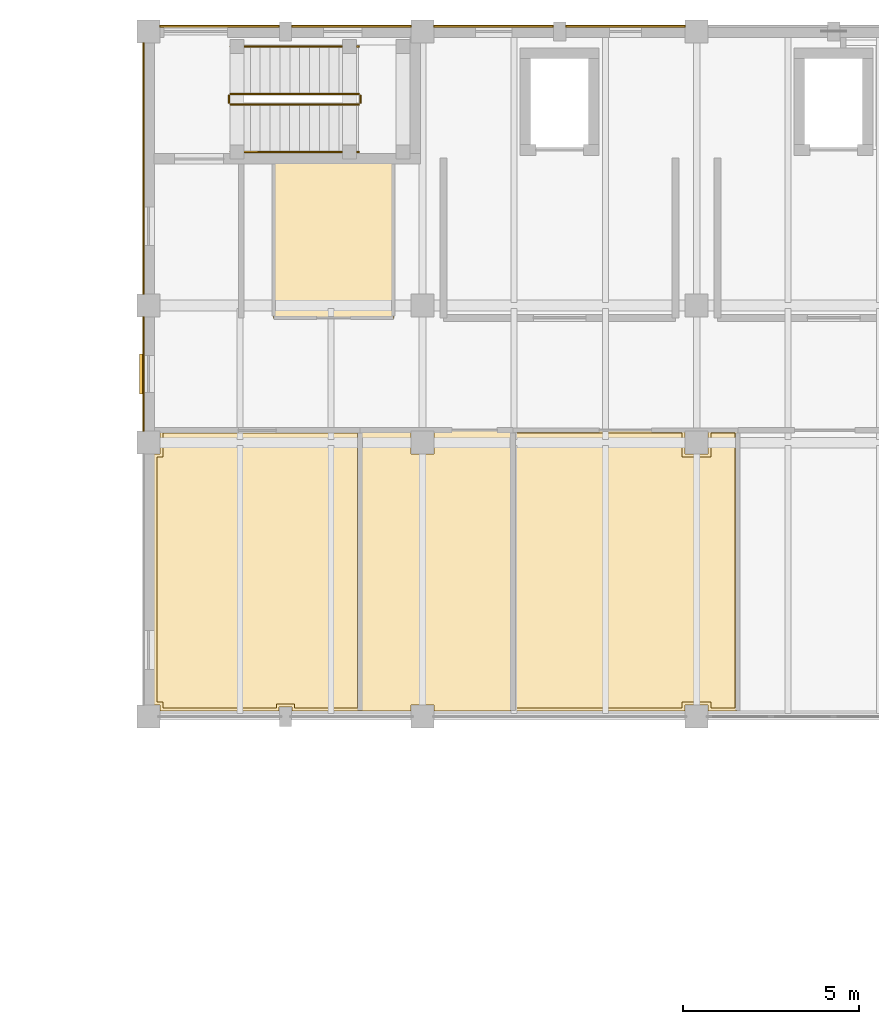
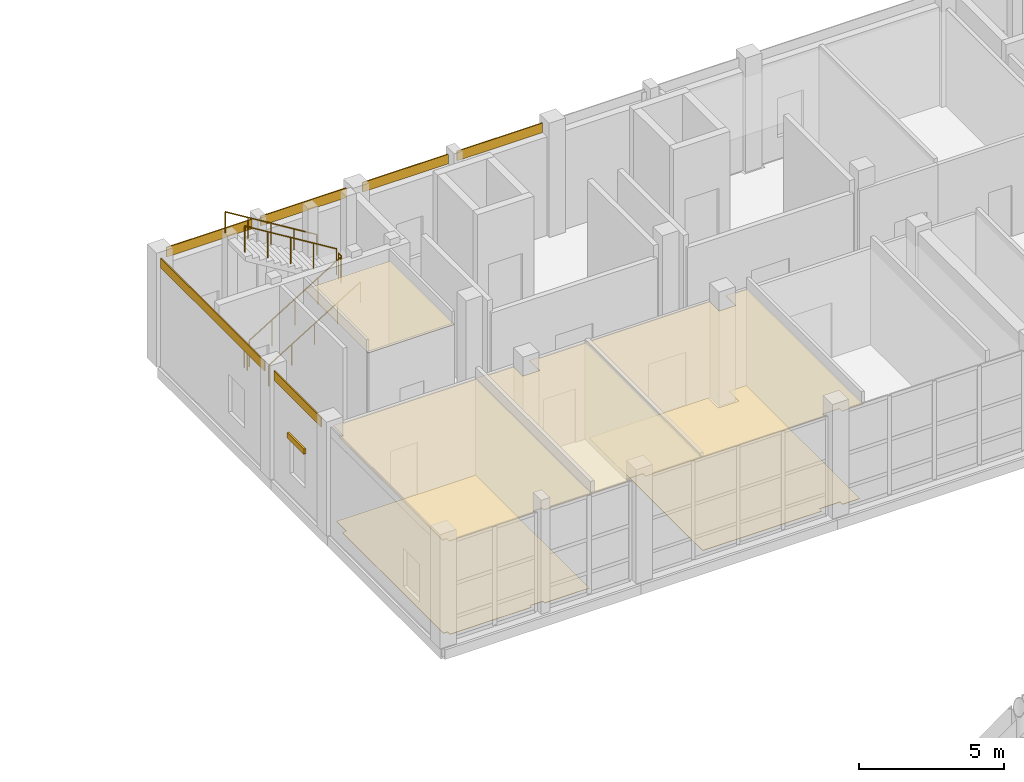
# One storey, part 120 of 131: 12 coverings, 6 railings, 1 shading device.
"""IFC4 building model written with IfcOpenShell, lengths in metres."""

from ifc_helpers import new_model, si_unit, direction, frame, origin, origin_2d, place, context, subcontext, project, spatial, polyline, rectangle, circle, outline, extrude, material, layer, layer_set, type_object, element, save


model = new_model("IFC4")

# Units and contexts
model_context = context("Model", 3, precision=1e-05, world=origin(), true_north=direction((0.0, 1.0)))
body_context = subcontext(model_context, "Body", "Model", "MODEL_VIEW")
ifc_project = project(units=[si_unit("LENGTHUNIT", "METRE"), si_unit("AREAUNIT", "SQUARE_METRE"), si_unit("VOLUMEUNIT", "CUBIC_METRE"), si_unit("PLANEANGLEUNIT", "RADIAN"), si_unit("MASSUNIT", "GRAM", prefix="KILO")], contexts=[model_context])

# Site, building, storey
site_placement = place(None, origin())
site = spatial("IfcSite", under=ifc_project, at=site_placement, CompositionType="ELEMENT")
building_placement = place(site_placement, origin())
building = spatial("IfcBuilding", under=site, at=building_placement, Name="Celorna Specialist Clinic", CompositionType="ELEMENT")
storey_placement = place(building_placement, origin())
storey = spatial("IfcBuildingStorey", under=building, at=storey_placement, Name="L00", CompositionType="ELEMENT", Elevation=0.0)

# Coverings
ifc_material_1 = material(Name="Hygienic acoustic mineral-fibre ceiling")
ifc_layer_1 = layer(ifc_material_1, 0.030029296875, Name="Hygienic acoustic mineral-fibre ceiling")
ifc_layer_set_1 = layer_set([ifc_layer_1], Name="Hygienic acoustic mineral-fibre ceiling")
covering_type_1 = type_object("IfcCoveringType", Name="CE-01", PredefinedType="CEILING", material=ifc_layer_set_1)
covering_1_placement = place(storey_placement, frame((0.0, 0.0, 3.989990234375)))
element("IfcCovering", 1, at=covering_1_placement, inside=storey, type_object=covering_type_1, Name="Acoustic ceiling L00-050", PredefinedType="CEILING", context=body_context, shape_type="SweptSolid", body=[
    extrude(outline(polyline([(52.8349609375, 104.6650390625), (52.8349609375, 96.655029296875), (50.8798828125, 96.655029296875), (50.8798828125, 96.780029296875), (50.52001953125, 96.780029296875), (50.52001953125, 96.655029296875), (47.1298828125, 96.655029296875), (47.1298828125, 96.830078125), (46.955078125, 96.830078125), (46.955078125, 103.969970703125), (47.1298828125, 103.969970703125), (47.1298828125, 104.6298828125), (47.1201171875, 104.6298828125), (47.1201171875, 104.6650390625), (52.8349609375, 104.6650390625)])), origin(), (0.0, 0.0, 1.0), 0.030029296875),
])
covering_2_placement = place(storey_placement, frame((0.0, 0.0, 3.989990234375)))
element("IfcCovering", 2, at=covering_2_placement, inside=storey, type_object=covering_type_1, Name="Acoustic ceiling L00-051", PredefinedType="CEILING", context=body_context, shape_type="SweptSolid", body=[
    extrude(outline(polyline([(54.280029296875, 104.6650390625), (54.280029296875, 104.6298828125), (54.27001953125, 104.6298828125), (54.27001953125, 103.969970703125), (54.929931640625, 103.969970703125), (54.929931640625, 104.6298828125), (54.919921875, 104.6298828125), (54.919921875, 104.6650390625), (57.18505859375, 104.6650390625), (57.18505859375, 96.655029296875), (54.929931640625, 96.655029296875), (54.929931640625, 96.830078125), (54.27001953125, 96.830078125), (54.27001953125, 96.655029296875), (52.804931640625, 96.655029296875), (52.804931640625, 104.6650390625), (54.280029296875, 104.6650390625)])), origin(), (0.0, 0.0, 1.0), 0.030029296875),
])
covering_3_placement = place(storey_placement, frame((0.0, 0.0, 3.989990234375)))
element("IfcCovering", 3, at=covering_3_placement, inside=storey, type_object=covering_type_1, Name="Acoustic ceiling L00-052", PredefinedType="CEILING", context=body_context, shape_type="SweptSolid", body=[
    extrude(outline(polyline([(62.080078125, 104.6650390625), (62.080078125, 104.6298828125), (62.070068359375, 104.6298828125), (62.070068359375, 103.969970703125), (62.72998046875, 103.969970703125), (62.72998046875, 104.6298828125), (62.719970703125, 104.6298828125), (62.719970703125, 104.6650390625), (63.5849609375, 104.6650390625), (63.5849609375, 96.655029296875), (62.72998046875, 96.655029296875), (62.72998046875, 96.830078125), (62.070068359375, 96.830078125), (62.070068359375, 96.655029296875), (57.155029296875, 96.655029296875), (57.155029296875, 104.6650390625), (62.080078125, 104.6650390625)])), origin(), (0.0, 0.0, 1.0), 0.030029296875),
])
covering_4_placement = place(storey_placement, frame((0.0, 0.0, 3.989990234375)))
element("IfcCovering", 4, at=covering_4_placement, inside=storey, type_object=covering_type_1, Name="Acoustic ceiling L00-071", PredefinedType="CEILING", context=body_context, shape_type="SweptSolid", body=[
    extrude(outline(polyline([(50.35498046875, 112.235107421875), (53.784912109375, 112.235107421875), (53.784912109375, 107.8349609375), (50.35498046875, 107.8349609375), (50.35498046875, 112.235107421875)])), origin(), (0.0, 0.0, 1.0), 0.030029296875),
])
ifc_material_2 = material(Name="Pero Pinheiro Lioz limestone rainscreen cladding", Category="masonry")
ifc_layer_2 = layer(ifc_material_2, 0.044921875, Name="Pero Pinheiro Lioz limestone rainscreen cladding")
ifc_layer_set_2 = layer_set([ifc_layer_2], Name="Pero Pinheiro Lioz limestone rainscreen cladding")
covering_type_2 = type_object("IfcCoveringType", Name="CL-01", PredefinedType="CLADDING", material=ifc_layer_set_2)
for number, where, z_axis, x_axis, name in (
    (5, (48.824951171875, 116.1474609375, 4.14013671875), (0.0, 0.0, 1.0), (1.0, 0.0, 0.0), "Lioz spandrel cladding #159"),
    (6, (52.574951171875, 116.1474609375, 4.14013671875), (0.0, 0.0, 1.0), (1.0, 0.0, 0.0), "Lioz spandrel cladding #160"),
    (7, (56.625, 116.1474609375, 4.14013671875), (0.0, 0.0, 1.0), (1.0, 0.0, 0.0), "Lioz spandrel cladding #161"),
    (8, (60.375, 116.1474609375, 4.14013671875), (0.0, 0.0, 1.0), (1.0, 0.0, 0.0), "Lioz spandrel cladding #162"),
):
    element("IfcCovering", number, at=place(storey_placement, frame(where, z_axis=z_axis, x_axis=x_axis)), inside=storey, type_object=covering_type_2, Name=name, PredefinedType="CLADDING", context=body_context, shape_type="SweptSolid", body=[
        extrude(rectangle(XDim=3.39990234375, YDim=0.044921875, at=origin_2d()), origin(), (0.0, 0.0, 1.0), 0.39990234375),
    ])
covering_5_placement = place(storey_placement, frame((46.652587890625, 106.25, 4.14013671875), z_axis=(0.0, 0.0, 1.0), x_axis=(0.0, 1.0, 0.0)))
element("IfcCovering", 9, at=covering_5_placement, inside=storey, type_object=covering_type_2, Name="Lioz spandrel cladding #182", PredefinedType="CLADDING", context=body_context, shape_type="SweptSolid", body=[
    extrude(rectangle(XDim=3.25, YDim=0.044921875, at=origin_2d()), origin(), (0.0, 0.0, 1.0), 0.39990234375),
])
covering_6_placement = place(storey_placement, frame((46.652587890625, 112.10009765625, 4.14013671875), z_axis=(0.0, 0.0, 1.0), x_axis=(0.0, 1.0, 0.0)))
element("IfcCovering", 10, at=covering_6_placement, inside=storey, type_object=covering_type_2, Name="Lioz spandrel cladding #183", PredefinedType="CLADDING", context=body_context, shape_type="SweptSolid", body=[
    extrude(rectangle(XDim=7.14990234375, YDim=0.044921875, at=origin_2d()), origin(), (0.0, 0.0, 1.0), 0.39990234375),
])
ifc_material_3 = material(Name="Seamless antimicrobial clinical vinyl and Lioz terrazzo flooring")
ifc_layer_3 = layer(ifc_material_3, 0.02001953125, Name="Seamless antimicrobial clinical vinyl and Lioz terrazzo flooring")
ifc_layer_set_3 = layer_set([ifc_layer_3], Name="Seamless antimicrobial clinical vinyl and Lioz terrazzo flooring")
covering_type_3 = type_object("IfcCoveringType", Name="FL-01", PredefinedType="FLOORING", material=ifc_layer_set_3)
covering_7_placement = place(storey_placement, origin())
element("IfcCovering", 11, at=covering_7_placement, inside=storey, type_object=covering_type_3, Name="Antimicrobial clinical flooring L00-050", PredefinedType="FLOORING", context=body_context, shape_type="SweptSolid", body=[
    extrude(outline(polyline([(47.2099609375, 104.574951171875), (52.7451171875, 104.574951171875), (52.7451171875, 96.7451171875), (50.9599609375, 96.7451171875), (50.9599609375, 96.860107421875), (50.43994140625, 96.860107421875), (50.43994140625, 96.7451171875), (47.2099609375, 96.7451171875), (47.2099609375, 96.909912109375), (47.044921875, 96.909912109375), (47.044921875, 103.889892578125), (47.2099609375, 103.889892578125), (47.2099609375, 104.574951171875)])), origin(), (0.0, 0.0, 1.0), 0.02001953125),
])
covering_8_placement = place(storey_placement, origin())
element("IfcCovering", 12, at=covering_8_placement, inside=storey, type_object=covering_type_3, Name="Antimicrobial clinical flooring L00-052", PredefinedType="FLOORING", context=body_context, shape_type="SweptSolid", body=[
    extrude(outline(polyline([(57.2451171875, 104.574951171875), (61.989990234375, 104.574951171875), (61.989990234375, 103.889892578125), (62.81005859375, 103.889892578125), (62.81005859375, 104.574951171875), (63.4951171875, 104.574951171875), (63.4951171875, 96.7451171875), (62.81005859375, 96.7451171875), (62.81005859375, 96.909912109375), (61.989990234375, 96.909912109375), (61.989990234375, 96.7451171875), (57.2451171875, 96.7451171875), (57.2451171875, 104.574951171875)])), origin(), (0.0, 0.0, 1.0), 0.02001953125),
])

# Railings
ifc_material_4 = material(Name="Powder-coated steel S355", Category="steel")
railing_type_1 = type_object("IfcRailingType", Name="GR-01", PredefinedType="GUARDRAIL", material=ifc_material_4)
railing_1_placement = place(storey_placement, frame((49.139892578125, 113.919921875, 0.17138671875)))
element("IfcRailing", 13, at=railing_1_placement, inside=storey, type_object=railing_type_1, Name="L00 ST-01 stair guard 1", PredefinedType="GUARDRAIL", context=body_context, shape_type="SweptSolid", body=[
    extrude(circle(Radius=0.02392578125, at=origin_2d()), frame((0.0, 0.0, 1.09619140625), z_axis=(0.852865859571, 0.0, 0.52213008492), x_axis=(0.0, 1.0, 0.0)), (0.0, 0.0, 1.0), 4.26806640625),
    extrude(circle(Radius=0.02099609375, at=origin_2d()), origin(), (0.0, 0.0, 1.0), 1.072021484375),
    extrude(circle(Radius=0.02099609375, at=origin_2d()), frame((0.91015625, 0.0, 0.55712890625)), (0.0, 0.0, 1.0), 1.072021484375),
    extrude(circle(Radius=0.02099609375, at=origin_2d()), frame((1.820068359375, 0.0, 1.1142578125)), (0.0, 0.0, 1.0), 1.072021484375),
    extrude(circle(Radius=0.02099609375, at=origin_2d()), frame((2.72998046875, 0.0, 1.67138671875)), (0.0, 0.0, 1.0), 1.072021484375),
    extrude(circle(Radius=0.02099609375, at=origin_2d()), frame((3.64013671875, 0.0, 2.228515625)), (0.0, 0.0, 1.0), 1.072021484375),
])
railing_2_placement = place(storey_placement, frame((52.830078125, 113.969970703125, 2.39990234375)))
element("IfcRailing", 14, at=railing_2_placement, inside=storey, type_object=railing_type_1, Name="L00 ST-01 stair guard 2", PredefinedType="GUARDRAIL", context=body_context, shape_type="SweptSolid", body=[
    extrude(circle(Radius=0.02392578125, at=origin_2d()), frame((0.0, 0.0, 1.09619140625), z_axis=(0.0, 1.0, 0.0), x_axis=(-1.0, 0.0, 0.0)), (0.0, 0.0, 1.0), 0.199951171875),
    extrude(circle(Radius=0.02099609375, at=origin_2d()), origin(), (0.0, 0.0, 1.0), 1.072021484375),
    extrude(circle(Radius=0.02099609375, at=origin_2d()), frame((0.0, 0.199951171875, 0.0)), (0.0, 0.0, 1.0), 1.072021484375),
])
railing_3_placement = place(storey_placement, frame((52.780029296875, 114.219970703125, 2.571533203125)))
element("IfcRailing", 15, at=railing_3_placement, inside=storey, type_object=railing_type_1, Name="L00 ST-01 stair guard 3", PredefinedType="GUARDRAIL", context=body_context, shape_type="SweptSolid", body=[
    extrude(circle(Radius=0.02392578125, at=origin_2d()), frame((0.0, 0.0, 1.09619140625), z_axis=(-0.852865859571, 0.0, 0.52213008492), x_axis=(0.0, -1.0, 0.0)), (0.0, 0.0, 1.0), 4.26806640625),
    extrude(circle(Radius=0.02099609375, at=origin_2d()), origin(), (0.0, 0.0, 1.0), 1.072021484375),
    extrude(circle(Radius=0.02099609375, at=origin_2d()), frame((-0.91015625, 0.0, 0.55712890625)), (0.0, 0.0, 1.0), 1.072021484375),
    extrude(circle(Radius=0.02099609375, at=origin_2d()), frame((-1.820068359375, 0.0, 1.1142578125)), (0.0, 0.0, 1.0), 1.072021484375),
    extrude(circle(Radius=0.02099609375, at=origin_2d()), frame((-2.72998046875, 0.0, 1.67138671875)), (0.0, 0.0, 1.0), 1.072021484375),
    extrude(circle(Radius=0.02099609375, at=origin_2d()), frame((-3.64013671875, 0.0, 2.228515625)), (0.0, 0.0, 1.0), 1.072021484375),
])
railing_4_placement = place(storey_placement, frame((49.090087890625, 113.969970703125, 0.0)))
element("IfcRailing", 16, at=railing_4_placement, inside=storey, type_object=railing_type_1, Name="L00 ST-01 stair guard 4", PredefinedType="GUARDRAIL", context=body_context, shape_type="SweptSolid", body=[
    extrude(circle(Radius=0.02392578125, at=origin_2d()), frame((0.0, 0.0, 1.09619140625), z_axis=(0.0, 1.0, 0.0), x_axis=(-1.0, 0.0, 0.0)), (0.0, 0.0, 1.0), 0.199951171875),
    extrude(circle(Radius=0.02099609375, at=origin_2d()), origin(), (0.0, 0.0, 1.0), 1.072021484375),
    extrude(circle(Radius=0.02099609375, at=origin_2d()), frame((0.0, 0.199951171875, 0.0)), (0.0, 0.0, 1.0), 1.072021484375),
])
ifc_material_5 = material(Name="Brushed stainless steel handrail", Category="steel")
railing_type_2 = type_object("IfcRailingType", Name="HR-01", PredefinedType="HANDRAIL", material=ifc_material_5)
railing_5_placement = place(storey_placement, frame((49.139892578125, 112.570068359375, 0.17138671875)))
element("IfcRailing", 17, at=railing_5_placement, inside=storey, type_object=railing_type_2, Name="L00 ST-01 stair handrail 1", PredefinedType="HANDRAIL", context=body_context, shape_type="SweptSolid", body=[
    extrude(circle(Radius=0.02392578125, at=origin_2d()), frame((0.0, 0.0, 0.8759765625), z_axis=(0.852865859571, 0.0, 0.52213008492), x_axis=(0.0, 1.0, 0.0)), (0.0, 0.0, 1.0), 4.26806640625),
    extrude(circle(Radius=0.02099609375, at=origin_2d()), origin(), (0.0, 0.0, 1.0), 0.851806640625),
    extrude(circle(Radius=0.02099609375, at=origin_2d()), frame((0.91015625, 0.0, 0.55712890625)), (0.0, 0.0, 1.0), 0.851806640625),
    extrude(circle(Radius=0.02099609375, at=origin_2d()), frame((1.820068359375, 0.0, 1.1142578125)), (0.0, 0.0, 1.0), 0.851806640625),
    extrude(circle(Radius=0.02099609375, at=origin_2d()), frame((2.72998046875, 0.0, 1.67138671875)), (0.0, 0.0, 1.0), 0.851806640625),
    extrude(circle(Radius=0.02099609375, at=origin_2d()), frame((3.64013671875, 0.0, 2.228515625)), (0.0, 0.0, 1.0), 0.851806640625),
])
railing_6_placement = place(storey_placement, frame((52.780029296875, 115.570068359375, 2.571533203125)))
element("IfcRailing", 18, at=railing_6_placement, inside=storey, type_object=railing_type_2, Name="L00 ST-01 stair handrail 2", PredefinedType="HANDRAIL", context=body_context, shape_type="SweptSolid", body=[
    extrude(circle(Radius=0.02392578125, at=origin_2d()), frame((0.0, 0.0, 0.8759765625), z_axis=(-0.852865859571, 0.0, 0.52213008492), x_axis=(0.0, -1.0, 0.0)), (0.0, 0.0, 1.0), 4.26806640625),
    extrude(circle(Radius=0.02099609375, at=origin_2d()), origin(), (0.0, 0.0, 1.0), 0.851806640625),
    extrude(circle(Radius=0.02099609375, at=origin_2d()), frame((-0.91015625, 0.0, 0.55712890625)), (0.0, 0.0, 1.0), 0.851806640625),
    extrude(circle(Radius=0.02099609375, at=origin_2d()), frame((-1.820068359375, 0.0, 1.1142578125)), (0.0, 0.0, 1.0), 0.851806640625),
    extrude(circle(Radius=0.02099609375, at=origin_2d()), frame((-2.72998046875, 0.0, 1.67138671875)), (0.0, 0.0, 1.0), 0.851806640625),
    extrude(circle(Radius=0.02099609375, at=origin_2d()), frame((-3.64013671875, 0.0, 2.228515625)), (0.0, 0.0, 1.0), 0.851806640625),
])

# Shading device
ifc_material_6 = material(Name="Anodized aluminium solar louvre", Category="aluminium")
ifc_layer_4 = layer(ifc_material_6, 0.080078125, Name="Anodized aluminium solar louvre")
ifc_layer_set_4 = layer_set([ifc_layer_4], Name="Anodized aluminium solar louvre")
shading_device_type = type_object("IfcShadingDeviceType", Name="LV-01", PredefinedType="JALOUSIE", material=ifc_layer_set_4)
shading_device_placement = place(storey_placement, frame((46.590087890625, 106.25, 2.39013671875), z_axis=(0.0, 0.0, 1.0), x_axis=(0.0, 1.0, 0.0)))
element("IfcShadingDevice", 19, at=shading_device_placement, inside=storey, type_object=shading_device_type, Name="External solar louvre LV-01 #74", PredefinedType="JALOUSIE", context=body_context, shape_type="SweptSolid", body=[
    extrude(rectangle(XDim=1.14990234375, YDim=0.080078125, at=origin_2d()), origin(), (0.0, 0.0, 1.0), 0.219970703125),
])

save(model, "model.ifc")
